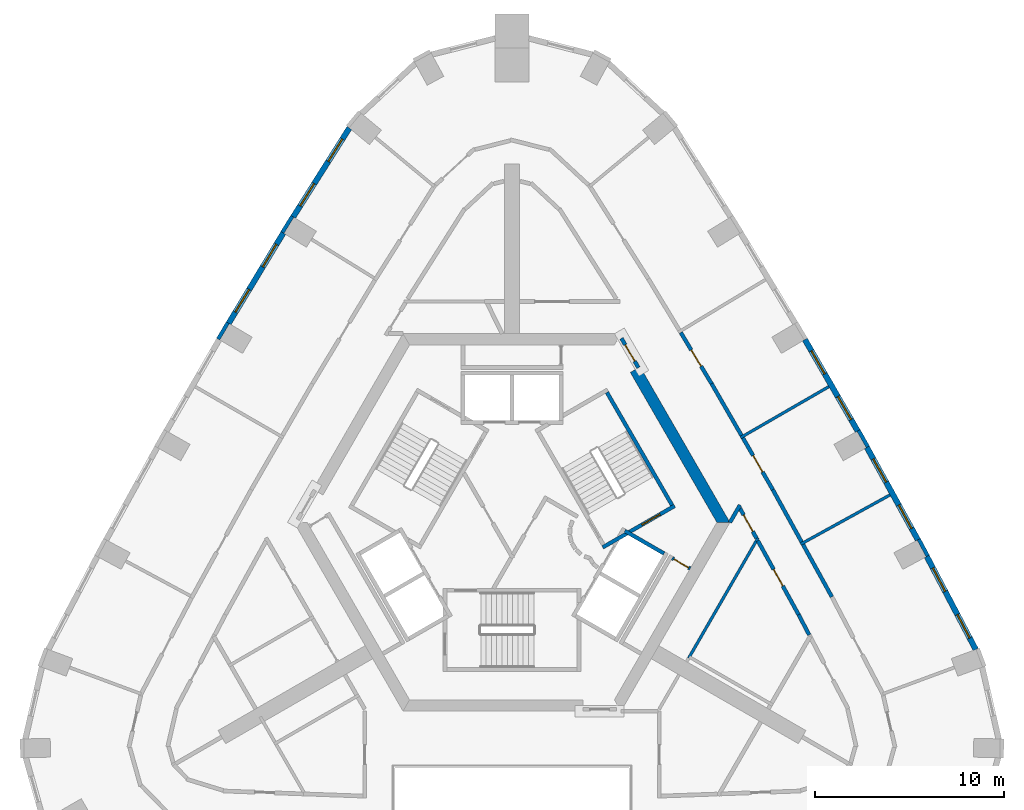
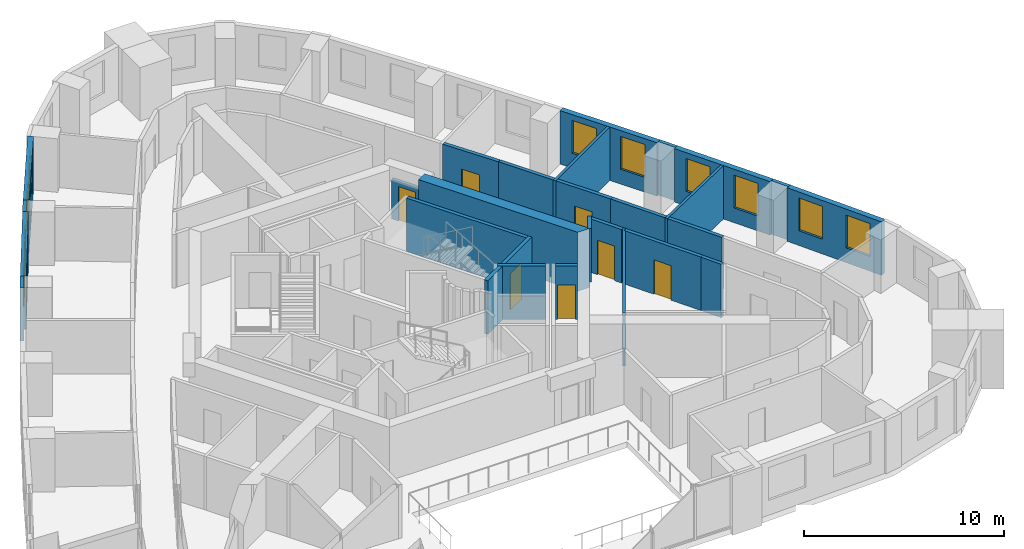
# One storey, part 7 of 10: 27 walls, 10 windows, 7 doors, 17 openings.
"""IFC4 building model written with IfcOpenShell, lengths in metres."""

from ifc_helpers import new_model, si_unit, direction, frame, frame_2d, origin, place, context, subcontext, project, spatial, polyline, rectangle, outline, extrude, material, layer, layer_set, type_object, element, fill, save


model = new_model("IFC4")

# Units and contexts
model_context = context("Model", 3, precision=1e-05, world=origin(), true_north=direction((0.0, 1.0)))
body_context = subcontext(model_context, "Body", "Model", "MODEL_VIEW")
ifc_project = project(units=[si_unit("LENGTHUNIT", "METRE"), si_unit("AREAUNIT", "SQUARE_METRE"), si_unit("VOLUMEUNIT", "CUBIC_METRE"), si_unit("PLANEANGLEUNIT", "RADIAN"), si_unit("MASSUNIT", "GRAM", prefix="KILO")], contexts=[model_context])

# Site, building, storey
site_placement = place(None, origin())
site = spatial("IfcSite", under=ifc_project, at=site_placement, CompositionType="ELEMENT")
building_placement = place(site_placement, origin())
building = spatial("IfcBuilding", under=site, at=building_placement, Name="Entoto Arch Interchange Tower", CompositionType="ELEMENT")
storey_placement = place(building_placement, frame((0.0, 0.0, 245.0)))
storey = spatial("IfcBuildingStorey", under=building, at=storey_placement, Name="L55", CompositionType="ELEMENT", Elevation=245.0)

# Wall, opening, door
ifc_material_1 = material(Name="Reinforced concrete C40/50", Category="concrete")
ifc_layer_1 = layer(ifc_material_1, 0.199951171875)
ifc_layer_set_1 = layer_set([ifc_layer_1], Name="Reinforced concrete C40/50")
wall_type_1 = type_object("IfcWallType", Name="CORE GAP INFILL WALL", PredefinedType="PARTITIONING", material=ifc_layer_set_1)
wall_1_placement = place(storey_placement, frame((6.698974609375, 10.697021484375, 0.0), z_axis=(0.0, 0.0, 1.0), x_axis=(-0.499914839587, 0.866074565589, 0.0)))
wall_1 = element("IfcWall", 1, at=wall_1_placement, inside=storey, type_object=wall_type_1, Name="wall:L55:gap2", PredefinedType="PARTITIONING", context=body_context, shape_type="SweptSolid", body=[
    extrude(rectangle(XDim=1.794189453125, YDim=0.199951171875, at=frame_2d((0.89697265625, 0.0))), origin(), (0.0, 0.0, 1.0), 2.39990234375),
])
opening_1_placement = place(wall_1_placement, frame((0.39697265625, 0.0, 0.0)))
opening_1 = element("IfcOpeningElement", 2, at=opening_1_placement, cuts=wall_1, Name="Opening L55-D92", PredefinedType="OPENING", context=body_context, shape_type="SweptSolid", body=[
    extrude(rectangle(XDim=1.0, YDim=2.10009765625, at=frame_2d((0.5, 1.050048828125))), frame((0.0, 0.10986328125, 0.0), z_axis=(0.0, -1.0, 0.0), x_axis=(1.0, 0.0, 0.0)), (0.0, 0.0, 1.0), 0.219970703125),
])
ifc_material_2 = material(Name="Fire-rated Steel S235 door and frame", Category="steel")
door_type_1 = type_object("IfcDoorType", Name="DOOR FD-10 1000x2100", OperationType="SINGLE_SWING_LEFT", PredefinedType="DOOR", material=ifc_material_2)
door_1_placement = place(opening_1_placement, origin())
door_1 = element("IfcDoor", 3, at=door_1_placement, inside=storey, type_object=door_type_1, Name="door:L55:gap2", OperationType="SINGLE_SWING_LEFT", OverallHeight=2.10009765625, OverallWidth=1.0, PredefinedType="DOOR", context=body_context, shape_type="SweptSolid", body=[
    extrude(rectangle(XDim=1.0, YDim=2.10009765625, at=frame_2d((0.5, 1.050048828125))), frame((0.0, 0.02490234375, 0.0), z_axis=(0.0, -1.0, 0.0), x_axis=(1.0, 0.0, 0.0)), (0.0, 0.0, 1.0), 0.050048828125),
])
fill(opening_1, door_1)

# Walls
ifc_material_3 = material(Name="Concrete C40/50", Category="concrete")
ifc_layer_2 = layer(ifc_material_3, 0.60009765625)
ifc_layer_set_2 = layer_set([ifc_layer_2], Name="Concrete C40/50")
wall_type_2 = type_object("IfcWallType", Name="Core wall 600 C40/50", PredefinedType="SHEAR", material=ifc_layer_set_2)
wall_2_placement = place(storey_placement, frame((0.0, 0.0, -0.340087890625)))
element("IfcWall", 4, at=wall_2_placement, inside=storey, type_object=wall_type_2, Name="Core wall NE L55", PredefinedType="SHEAR", context=body_context, shape_type="SweptSolid", body=[
    extrude(outline(polyline([(6.785888671875, 10.7470703125), (6.26611328125, 10.447021484375), (10.85400390625, 2.5), (11.547119140625, 2.5), (6.785888671875, 10.7470703125)])), origin(), (0.0, 0.0, 1.0), 3.60009765625),
])
ifc_layer_3 = layer(ifc_material_3, 0.199951171875)
ifc_layer_set_3 = layer_set([ifc_layer_3], Name="Concrete C40/50")
wall_type_3 = type_object("IfcWallType", Name="LIFT SHAFT WALL 200", PredefinedType="STANDARD", material=ifc_layer_set_3)
wall_3_placement = place(storey_placement, frame((5.97705078125, 2.052001953125, 0.0), z_axis=(0.0, 0.0, 1.0), x_axis=(0.865973769406, -0.500089422704, 0.0)))
element("IfcWall", 5, at=wall_3_placement, inside=storey, type_object=wall_type_3, Name="Shaft wall SE1 cross 3", PredefinedType="STANDARD", context=body_context, shape_type="SweptSolid", body=[
    extrude(rectangle(XDim=2.3994140625, YDim=0.199951171875, at=frame_2d((1.19970703125, 0.0))), origin(), (0.0, 0.0, 1.0), 3.260009765625),
])
ifc_material_4 = material(Name="Gypsum board partition on steel studs", Category="steel")
ifc_layer_4 = layer(ifc_material_4, 0.14990234375)
ifc_layer_set_4 = layer_set([ifc_layer_4], Name="Gypsum board partition on steel studs")
wall_type_4 = type_object("IfcWallType", Name="PARTITION 150", PredefinedType="PARTITIONING", material=ifc_layer_set_4)
wall_4_placement = place(storey_placement, frame((9.35791015625, -4.69189453125, 0.0), z_axis=(0.0, 0.0, 1.0), x_axis=(0.500027777314, 0.866009365951, 0.0)))
element("IfcWall", 6, at=wall_4_placement, inside=storey, type_object=wall_type_4, Name="wall:L55:p074", PredefinedType="PARTITIONING", context=body_context, shape_type="SweptSolid", body=[
    extrude(rectangle(XDim=7.35986328125, YDim=0.14990234375, at=frame_2d((3.679931640625, 0.0))), origin(), (0.0, 0.0, 1.0), 3.260009765625),
])
wall_5_placement = place(storey_placement, frame((15.294921875, 1.346923828125, 0.0), z_axis=(0.0, 0.0, 1.0), x_axis=(0.875728645362, 0.482803624358, 0.0)))
element("IfcWall", 7, at=wall_5_placement, inside=storey, type_object=wall_type_4, Name="wall:L55:p105", PredefinedType="PARTITIONING", context=body_context, shape_type="SweptSolid", body=[
    extrude(rectangle(XDim=5.400146484375, YDim=0.14990234375, at=frame_2d((2.7001953125, 0.0))), origin(), (0.0, 0.0, 1.0), 3.260009765625),
])
wall_6_placement = place(storey_placement, frame((12.110107421875, 6.991943359375, 0.0), z_axis=(0.0, 0.0, 1.0), x_axis=(0.865994316829, 0.50005384032, 0.0)))
element("IfcWall", 8, at=wall_6_placement, inside=storey, type_object=wall_type_4, Name="wall:L55:p106", PredefinedType="PARTITIONING", context=body_context, shape_type="SweptSolid", body=[
    extrude(rectangle(XDim=5.3994140625, YDim=0.14990234375, at=frame_2d((2.69970703125, 0.0))), origin(), (0.0, 0.0, 1.0), 3.260009765625),
])

# Wall, opening, door
ifc_layer_5 = layer(ifc_material_4, 0.199951171875)
ifc_layer_set_5 = layer_set([ifc_layer_5], Name="Gypsum board partition on steel studs")
wall_type_5 = type_object("IfcWallType", Name="PARTITION 200", PredefinedType="PARTITIONING", material=ifc_layer_set_5)
wall_7_placement = place(storey_placement, frame((12.951904296875, 1.660888671875, 0.0), z_axis=(0.0, 0.0, 1.0), x_axis=(-0.482707835392, 0.875781448566, 0.0)))
wall_7 = element("IfcWall", 9, at=wall_7_placement, inside=storey, type_object=wall_type_5, Name="wall:L55:p004", PredefinedType="PARTITIONING", context=body_context, shape_type="SweptSolid", body=[
    extrude(rectangle(XDim=1.816650390625, YDim=0.199951171875, at=frame_2d((0.908203125, 0.0))), origin(), (0.0, 0.0, 1.0), 3.260009765625),
])
opening_2_placement = place(wall_7_placement, frame((0.407958984375, 0.0, 0.0)))
opening_2 = element("IfcOpeningElement", 10, at=opening_2_placement, cuts=wall_7, Name="Opening L55-D25", PredefinedType="OPENING", context=body_context, shape_type="SweptSolid", body=[
    extrude(rectangle(XDim=1.0, YDim=2.10009765625, at=frame_2d((0.5, 1.050048828125))), frame((0.0, 0.10986328125, 0.0), z_axis=(0.0, -1.0, 0.0), x_axis=(1.0, 0.0, 0.0)), (0.0, 0.0, 1.0), 0.219970703125),
])
ifc_material_5 = material(Name="Timber door leaf in Steel S235 frame", Category="steel")
door_type_2 = type_object("IfcDoorType", Name="DOOR DS-10 1000x2100", OperationType="SINGLE_SWING_LEFT", PredefinedType="DOOR", material=ifc_material_5)
door_2_placement = place(opening_2_placement, origin())
door_2 = element("IfcDoor", 11, at=door_2_placement, inside=storey, type_object=door_type_2, Name="door:L55:25", OperationType="SINGLE_SWING_RIGHT", OverallHeight=2.10009765625, OverallWidth=1.0, PredefinedType="DOOR", context=body_context, shape_type="SweptSolid", body=[
    extrude(rectangle(XDim=1.0, YDim=2.10009765625, at=frame_2d((0.5, 1.050048828125))), frame((0.0, 0.02490234375, 0.0), z_axis=(0.0, -1.0, 0.0), x_axis=(1.0, 0.0, 0.0)), (0.0, 0.0, 1.0), 0.050048828125),
])
fill(opening_2, door_2)

# Walls
wall_8_placement = place(storey_placement, frame((12.0791015625, 3.4189453125, 0.0), z_axis=(0.0, 0.0, 1.0), x_axis=(-0.500674759037, -0.865635480825, 0.0)))
element("IfcWall", 12, at=wall_8_placement, inside=storey, type_object=wall_type_5, Name="wall:L55:p005", PredefinedType="PARTITIONING", context=body_context, shape_type="SweptSolid", body=[
    extrude(rectangle(XDim=1.06494140625, YDim=0.199951171875, at=frame_2d((0.532470703125, 0.0))), origin(), (0.0, 0.0, 1.0), 3.260009765625),
])
wall_9_placement = place(storey_placement, frame((15.74609375, -3.4580078125, 0.0), z_axis=(0.0, 0.0, 1.0), x_axis=(-0.464794189951, 0.885418748948, 0.0)))
element("IfcWall", 13, at=wall_9_placement, inside=storey, type_object=wall_type_5, Name="wall:L55:p014", PredefinedType="PARTITIONING", context=body_context, shape_type="SweptSolid", body=[
    extrude(rectangle(XDim=1.205078125, YDim=0.199951171875, at=frame_2d((0.6025390625, 0.0))), origin(), (0.0, 0.0, 1.0), 3.260009765625),
])

# Wall, opening, door
wall_10_placement = place(storey_placement, frame((15.18603515625, -2.39111328125, 0.0), z_axis=(0.0, 0.0, 1.0), x_axis=(-0.482858240592, 0.875698532311, 0.0)))
wall_10 = element("IfcWall", 14, at=wall_10_placement, inside=storey, type_object=wall_type_5, Name="wall:L55:p015", PredefinedType="PARTITIONING", context=body_context, shape_type="SweptSolid", body=[
    extrude(rectangle(XDim=4.477783203125, YDim=0.199951171875, at=frame_2d((2.23876953125, 0.0))), origin(), (0.0, 0.0, 1.0), 3.260009765625),
])
opening_3_placement = place(wall_10_placement, frame((1.739013671875, 0.0, 0.0)))
opening_3 = element("IfcOpeningElement", 15, at=opening_3_placement, cuts=wall_10, Name="Opening L55-D15", PredefinedType="OPENING", context=body_context, shape_type="SweptSolid", body=[
    extrude(rectangle(XDim=1.0, YDim=2.10009765625, at=frame_2d((0.5, 1.050048828125))), frame((0.0, 0.10986328125, 0.0), z_axis=(0.0, -1.0, 0.0), x_axis=(1.0, 0.0, 0.0)), (0.0, 0.0, 1.0), 0.219970703125),
])
door_3_placement = place(opening_3_placement, origin())
door_3 = element("IfcDoor", 16, at=door_3_placement, inside=storey, type_object=door_type_2, Name="door:L55:15", OperationType="SINGLE_SWING_LEFT", OverallHeight=2.10009765625, OverallWidth=1.0, PredefinedType="DOOR", context=body_context, shape_type="SweptSolid", body=[
    extrude(rectangle(XDim=1.0, YDim=2.10009765625, at=frame_2d((0.5, 1.050048828125))), frame((0.0, 0.02490234375, 0.0), z_axis=(0.0, -1.0, 0.0), x_axis=(1.0, 0.0, 0.0)), (0.0, 0.0, 1.0), 0.050048828125),
])
fill(opening_3, door_3)

# Wall
wall_11_placement = place(storey_placement, frame((15.41796875, 1.330078125, 0.0), z_axis=(0.0, 0.0, 1.0), x_axis=(0.482838875149, -0.875709210095, 0.0)))
element("IfcWall", 17, at=wall_11_placement, inside=storey, type_object=wall_type_5, Name="wall:L55:p039", PredefinedType="PARTITIONING", context=body_context, shape_type="SweptSolid", body=[
    extrude(rectangle(XDim=3.166748046875, YDim=0.199951171875, at=frame_2d((1.58349609375, 0.0))), origin(), (0.0, 0.0, 1.0), 3.260009765625),
])

# Wall, opening, door
wall_12_placement = place(storey_placement, frame((12.23388671875, 6.97705078125, 0.0), z_axis=(0.0, 0.0, 1.0), x_axis=(0.499820325382, -0.866129114125, 0.0)))
wall_12 = element("IfcWall", 18, at=wall_12_placement, inside=storey, type_object=wall_type_5, Name="wall:L55:p041", PredefinedType="PARTITIONING", context=body_context, shape_type="SweptSolid", body=[
    extrude(rectangle(XDim=3.167236328125, YDim=0.199951171875, at=frame_2d((1.58349609375, 0.0))), origin(), (0.0, 0.0, 1.0), 3.260009765625),
])
opening_4_placement = place(wall_12_placement, frame((1.083984375, 0.0, 0.0)))
opening_4 = element("IfcOpeningElement", 19, at=opening_4_placement, cuts=wall_12, Name="Opening L55-D04", PredefinedType="OPENING", context=body_context, shape_type="SweptSolid", body=[
    extrude(rectangle(XDim=1.0, YDim=2.10009765625, at=frame_2d((0.5, 1.050048828125))), frame((0.0, 0.10986328125, 0.0), z_axis=(0.0, -1.0, 0.0), x_axis=(1.0, 0.0, 0.0)), (0.0, 0.0, 1.0), 0.219970703125),
])
door_4_placement = place(opening_4_placement, origin())
door_4 = element("IfcDoor", 20, at=door_4_placement, inside=storey, type_object=door_type_2, Name="door:L55:04", OperationType="SINGLE_SWING_LEFT", OverallHeight=2.10009765625, OverallWidth=1.0, PredefinedType="DOOR", context=body_context, shape_type="SweptSolid", body=[
    extrude(rectangle(XDim=1.0, YDim=2.10009765625, at=frame_2d((0.5, 1.050048828125))), frame((0.0, 0.02490234375, 0.0), z_axis=(0.0, -1.0, 0.0), x_axis=(1.0, 0.0, 0.0)), (0.0, 0.0, 1.0), 0.050048828125),
])
fill(opening_4, door_4)

# Wall
wall_13_placement = place(storey_placement, frame((13.81689453125, 4.23388671875, 0.0), z_axis=(0.0, 0.0, 1.0), x_axis=(0.482871474341, -0.875691235121, 0.0)))
element("IfcWall", 21, at=wall_13_placement, inside=storey, type_object=wall_type_5, Name="wall:L55:p042", PredefinedType="PARTITIONING", context=body_context, shape_type="SweptSolid", body=[
    extrude(rectangle(XDim=3.16650390625, YDim=0.199951171875, at=frame_2d((1.583251953125, 0.0))), origin(), (0.0, 0.0, 1.0), 3.260009765625),
])

# Wall, opening, door
wall_14_placement = place(storey_placement, frame((8.93896484375, 12.55908203125, 0.0), z_axis=(0.0, 0.0, 1.0), x_axis=(0.517045022441, -0.855958202699, 0.0)))
wall_14 = element("IfcWall", 22, at=wall_14_placement, inside=storey, type_object=wall_type_5, Name="wall:L55:p043", PredefinedType="PARTITIONING", context=body_context, shape_type="SweptSolid", body=[
    extrude(rectangle(XDim=3.166015625, YDim=0.199951171875, at=frame_2d((1.5830078125, 0.0))), origin(), (0.0, 0.0, 1.0), 3.260009765625),
])
opening_5_placement = place(wall_14_placement, frame((1.0830078125, 0.0, 0.0)))
opening_5 = element("IfcOpeningElement", 23, at=opening_5_placement, cuts=wall_14, Name="Opening L55-D05", PredefinedType="OPENING", context=body_context, shape_type="SweptSolid", body=[
    extrude(rectangle(XDim=1.0, YDim=2.10009765625, at=frame_2d((0.5, 1.050048828125))), frame((0.0, 0.10986328125, 0.0), z_axis=(0.0, -1.0, 0.0), x_axis=(1.0, 0.0, 0.0)), (0.0, 0.0, 1.0), 0.219970703125),
])
door_5_placement = place(opening_5_placement, origin())
door_5 = element("IfcDoor", 24, at=door_5_placement, inside=storey, type_object=door_type_2, Name="door:L55:05", OperationType="SINGLE_SWING_LEFT", OverallHeight=2.10009765625, OverallWidth=1.0, PredefinedType="DOOR", context=body_context, shape_type="SweptSolid", body=[
    extrude(rectangle(XDim=1.0, YDim=2.10009765625, at=frame_2d((0.5, 1.050048828125))), frame((0.0, 0.02490234375, 0.0), z_axis=(0.0, -1.0, 0.0), x_axis=(1.0, 0.0, 0.0)), (0.0, 0.0, 1.0), 0.050048828125),
])
fill(opening_5, door_5)

# Wall
wall_15_placement = place(storey_placement, frame((10.575927734375, 9.84912109375, 0.0), z_axis=(0.0, 0.0, 1.0), x_axis=(0.499953838557, -0.866052053466, 0.0)))
element("IfcWall", 25, at=wall_15_placement, inside=storey, type_object=wall_type_5, Name="wall:L55:p044", PredefinedType="PARTITIONING", context=body_context, shape_type="SweptSolid", body=[
    extrude(rectangle(XDim=3.166259765625, YDim=0.199951171875, at=frame_2d((1.5830078125, 0.0))), origin(), (0.0, 0.0, 1.0), 3.260009765625),
])

# Wall, opening, door
wall_16_placement = place(storey_placement, frame((8.488037109375, 0.60205078125, 0.0), z_axis=(0.0, 0.0, 1.0), x_axis=(0.866063652425, -0.499933745558, 0.0)))
wall_16 = element("IfcWall", 26, at=wall_16_placement, inside=storey, type_object=wall_type_5, Name="wall:L55:p066", PredefinedType="PARTITIONING", context=body_context, shape_type="SweptSolid", body=[
    extrude(rectangle(XDim=1.100341796875, YDim=0.199951171875, at=frame_2d((0.55029296875, 0.0))), origin(), (0.0, 0.0, 1.0), 3.260009765625),
])
opening_6_placement = place(wall_16_placement, frame((0.10009765625, 0.0, 0.0)))
opening_6 = element("IfcOpeningElement", 27, at=opening_6_placement, cuts=wall_16, Name="Opening L55-D29", PredefinedType="OPENING", context=body_context, shape_type="SweptSolid", body=[
    extrude(rectangle(XDim=0.89990234375, YDim=2.10009765625, at=frame_2d((0.449951171875, 1.050048828125))), frame((0.0, 0.10986328125, 0.0), z_axis=(0.0, -1.0, 0.0), x_axis=(1.0, 0.0, 0.0)), (0.0, 0.0, 1.0), 0.219970703125),
])
door_type_3 = type_object("IfcDoorType", Name="DOOR DS-09 900x2100", OperationType="SINGLE_SWING_LEFT", PredefinedType="DOOR", material=ifc_material_5)
door_6_placement = place(opening_6_placement, origin())
door_6 = element("IfcDoor", 28, at=door_6_placement, inside=storey, type_object=door_type_3, Name="door:L55:29", OperationType="SINGLE_SWING_RIGHT", OverallHeight=2.10009765625, OverallWidth=0.89990234375, PredefinedType="DOOR", context=body_context, shape_type="SweptSolid", body=[
    extrude(rectangle(XDim=0.89990234375, YDim=2.10009765625, at=frame_2d((0.449951171875, 1.050048828125))), frame((0.0, 0.02490234375, 0.0), z_axis=(0.0, -1.0, 0.0), x_axis=(1.0, 0.0, 0.0)), (0.0, 0.0, 1.0), 0.050048828125),
])
fill(opening_6, door_6)

ifc_layer_6 = layer(ifc_material_3, 0.199951171875)
ifc_layer_set_6 = layer_set([ifc_layer_6], Name="Concrete C40/50")
wall_type_6 = type_object("IfcWallType", Name="STAIR ENCLOSURE WALL 200", PredefinedType="STANDARD", material=ifc_layer_set_6)
wall_17_placement = place(storey_placement, frame((4.805908203125, 1.176025390625, 0.0), z_axis=(0.0, 0.0, 1.0), x_axis=(0.866059941101, 0.499940174841, 0.0)))
wall_17 = element("IfcWall", 29, at=wall_17_placement, inside=storey, type_object=wall_type_6, Name="Stair wall ST-NE near", PredefinedType="STANDARD", context=body_context, shape_type="SweptSolid", body=[
    extrude(rectangle(XDim=4.400390625, YDim=0.199951171875, at=frame_2d((2.2001953125, 0.0))), origin(), (0.0, 0.0, 1.0), 3.260009765625),
])
opening_7_placement = place(wall_17_placement, frame((2.39990234375, 0.0, 0.0)))
opening_7 = element("IfcOpeningElement", 30, at=opening_7_placement, cuts=wall_17, Name="Opening SD-ST-NE-L55-E", PredefinedType="OPENING", context=body_context, shape_type="SweptSolid", body=[
    extrude(rectangle(XDim=1.10009765625, YDim=2.199951171875, at=frame_2d((0.550048828125, 1.10009765625))), frame((0.0, 0.10986328125, 0.0), z_axis=(0.0, -1.0, 0.0), x_axis=(1.0, 0.0, 0.0)), (0.0, 0.0, 1.0), 0.219970703125),
])
ifc_material_6 = material(Name="Steel S235", Category="steel")
door_type_4 = type_object("IfcDoorType", Name="STAIR DOOR SD1 1100x2200", OperationType="SINGLE_SWING_LEFT", PredefinedType="DOOR", material=ifc_material_6)
door_7_placement = place(opening_7_placement, origin())
door_7 = element("IfcDoor", 31, at=door_7_placement, inside=storey, type_object=door_type_4, Name="Stair door ST-NE L55 end", OperationType="SINGLE_SWING_LEFT", OverallHeight=2.199951171875, OverallWidth=1.10009765625, PredefinedType="DOOR", context=body_context, shape_type="SweptSolid", body=[
    extrude(rectangle(XDim=1.10009765625, YDim=2.199951171875, at=frame_2d((0.550048828125, 1.10009765625))), frame((0.0, 0.02490234375, 0.0), z_axis=(0.0, -1.0, 0.0), x_axis=(1.0, 0.0, 0.0)), (0.0, 0.0, 1.0), 0.050048828125),
])
fill(opening_7, door_7)

# Wall
wall_18_placement = place(storey_placement, frame((8.47998046875, 3.412109375, 0.0), z_axis=(0.0, 0.0, 1.0), x_axis=(-0.499978703459, 0.866037698999, 0.0)))
element("IfcWall", 32, at=wall_18_placement, inside=storey, type_object=wall_type_6, Name="Stair wall ST-NE back", PredefinedType="STANDARD", context=body_context, shape_type="SweptSolid", body=[
    extrude(rectangle(XDim=6.900146484375, YDim=0.199951171875, at=frame_2d((3.4501953125, 0.0))), origin(), (0.0, 0.0, 1.0), 3.260009765625),
])

# Wall, openings, windows
ifc_material_7 = material(Name="Welded tuff (ignimbrite) cladding, warm buff", Category="masonry")
ifc_layer_7 = layer(ifc_material_7, 0.300048828125)
ifc_layer_set_7 = layer_set([ifc_layer_7], Name="Welded tuff (ignimbrite) cladding, warm buff")
wall_type_7 = type_object("IfcWallType", Name="STONE INFILL WALL 300", PredefinedType="STANDARD", material=ifc_layer_set_7)
wall_19_placement = place(storey_placement, frame((24.570068359375, -4.23388671875, 0.0), z_axis=(0.0, 0.0, 1.0), x_axis=(-0.465228032148, 0.885190871001, 0.0)))
wall_19 = element("IfcWall", 33, at=wall_19_placement, inside=storey, type_object=wall_type_7, Name="Facade wall NE-01 L55", PredefinedType="STANDARD", context=body_context, shape_type="SweptSolid", body=[
    extrude(rectangle(XDim=5.571533203125, YDim=0.300048828125, at=frame_2d((2.78564453125, 0.0))), origin(), (0.0, 0.0, 1.0), 3.260009765625),
])
opening_8_placement = place(wall_19_placement, frame((0.693115234375, 0.0, 0.89990234375)))
opening_8 = element("IfcOpeningElement", 34, at=opening_8_placement, cuts=wall_19, Name="Opening WH-B", PredefinedType="OPENING", context=body_context, shape_type="SweptSolid", body=[
    extrude(rectangle(XDim=1.39990234375, YDim=2.0, at=frame_2d((0.699951171875, 1.0))), frame((0.0, 0.16015625, 0.0), z_axis=(0.0, -1.0, 0.0), x_axis=(1.0, 0.0, 0.0)), (0.0, 0.0, 1.0), 0.320068359375),
])
opening_9_placement = place(wall_19_placement, frame((3.47900390625, 0.0, 0.89990234375)))
opening_9 = element("IfcOpeningElement", 35, at=opening_9_placement, cuts=wall_19, Name="Opening WH-B", PredefinedType="OPENING", context=body_context, shape_type="SweptSolid", body=[
    extrude(rectangle(XDim=1.39990234375, YDim=2.0, at=frame_2d((0.699951171875, 1.0))), frame((0.0, 0.16015625, 0.0), z_axis=(0.0, -1.0, 0.0), x_axis=(1.0, 0.0, 0.0)), (0.0, 0.0, 1.0), 0.320068359375),
])
ifc_material_8 = material(Name="Clear glass, low-e double glazed", Category="glass")
window_type = type_object("IfcWindowType", Name="WINDOW WH-B 1400x2000", PartitioningType="DOUBLE_PANEL_VERTICAL", PredefinedType="WINDOW", material=ifc_material_8)
window_1_placement = place(opening_8_placement, origin())
window_1 = element("IfcWindow", 36, at=window_1_placement, inside=storey, type_object=window_type, Name="Window WH-B NE-01 L55", OverallHeight=2.0, OverallWidth=1.39990234375, PartitioningType="SINGLE_PANEL", PredefinedType="WINDOW", context=body_context, shape_type="SweptSolid", body=[
    extrude(rectangle(XDim=1.39990234375, YDim=2.0, at=frame_2d((0.699951171875, 1.0))), frame((0.0, 0.030029296875, 0.0), z_axis=(0.0, -1.0, 0.0), x_axis=(1.0, 0.0, 0.0)), (0.0, 0.0, 1.0), 0.06005859375),
])
fill(opening_8, window_1)
window_2_placement = place(opening_9_placement, origin())
window_2 = element("IfcWindow", 37, at=window_2_placement, inside=storey, type_object=window_type, Name="Window WH-B NE-01 L55", OverallHeight=2.0, OverallWidth=1.39990234375, PartitioningType="SINGLE_PANEL", PredefinedType="WINDOW", context=body_context, shape_type="SweptSolid", body=[
    extrude(rectangle(XDim=1.39990234375, YDim=2.0, at=frame_2d((0.699951171875, 1.0))), frame((0.0, 0.030029296875, 0.0), z_axis=(0.0, -1.0, 0.0), x_axis=(1.0, 0.0, 0.0)), (0.0, 0.0, 1.0), 0.06005859375),
])
fill(opening_9, window_2)

wall_20_placement = place(storey_placement, frame((21.5048828125, 1.576904296875, 0.0), z_axis=(0.0, 0.0, 1.0), x_axis=(-0.482734585173, 0.875766704253, 0.0)))
wall_20 = element("IfcWall", 38, at=wall_20_placement, inside=storey, type_object=wall_type_7, Name="Facade wall NE-02 L55", PredefinedType="STANDARD", context=body_context, shape_type="SweptSolid", body=[
    extrude(rectangle(XDim=5.593017578125, YDim=0.300048828125, at=frame_2d((2.79638671875, 0.0))), origin(), (0.0, 0.0, 1.0), 3.260009765625),
])
opening_10_placement = place(wall_20_placement, frame((0.697998046875, 0.0, 0.89990234375)))
opening_10 = element("IfcOpeningElement", 39, at=opening_10_placement, cuts=wall_20, Name="Opening WH-B", PredefinedType="OPENING", context=body_context, shape_type="SweptSolid", body=[
    extrude(rectangle(XDim=1.39990234375, YDim=2.0, at=frame_2d((0.699951171875, 1.0))), frame((0.0, 0.16015625, 0.0), z_axis=(0.0, -1.0, 0.0), x_axis=(1.0, 0.0, 0.0)), (0.0, 0.0, 1.0), 0.320068359375),
])
opening_11_placement = place(wall_20_placement, frame((3.4951171875, 0.0, 0.89990234375)))
opening_11 = element("IfcOpeningElement", 40, at=opening_11_placement, cuts=wall_20, Name="Opening WH-B", PredefinedType="OPENING", context=body_context, shape_type="SweptSolid", body=[
    extrude(rectangle(XDim=1.39990234375, YDim=2.0, at=frame_2d((0.699951171875, 1.0))), frame((0.0, 0.16015625, 0.0), z_axis=(0.0, -1.0, 0.0), x_axis=(1.0, 0.0, 0.0)), (0.0, 0.0, 1.0), 0.320068359375),
])
window_3_placement = place(opening_10_placement, origin())
window_3 = element("IfcWindow", 41, at=window_3_placement, inside=storey, type_object=window_type, Name="Window WH-B NE-02 L55", OverallHeight=2.0, OverallWidth=1.39990234375, PartitioningType="SINGLE_PANEL", PredefinedType="WINDOW", context=body_context, shape_type="SweptSolid", body=[
    extrude(rectangle(XDim=1.39990234375, YDim=2.0, at=frame_2d((0.699951171875, 1.0))), frame((0.0, 0.030029296875, 0.0), z_axis=(0.0, -1.0, 0.0), x_axis=(1.0, 0.0, 0.0)), (0.0, 0.0, 1.0), 0.06005859375),
])
fill(opening_10, window_3)
window_4_placement = place(opening_11_placement, origin())
window_4 = element("IfcWindow", 42, at=window_4_placement, inside=storey, type_object=window_type, Name="Window WH-B NE-02 L55", OverallHeight=2.0, OverallWidth=1.39990234375, PartitioningType="SINGLE_PANEL", PredefinedType="WINDOW", context=body_context, shape_type="SweptSolid", body=[
    extrude(rectangle(XDim=1.39990234375, YDim=2.0, at=frame_2d((0.699951171875, 1.0))), frame((0.0, 0.030029296875, 0.0), z_axis=(0.0, -1.0, 0.0), x_axis=(1.0, 0.0, 0.0)), (0.0, 0.0, 1.0), 0.06005859375),
])
fill(opening_11, window_4)

wall_21_placement = place(storey_placement, frame((18.31494140625, 7.343994140625, 0.0), z_axis=(0.0, 0.0, 1.0), x_axis=(-0.49995037644, 0.866054052065, 0.0)))
wall_21 = element("IfcWall", 43, at=wall_21_placement, inside=storey, type_object=wall_type_7, Name="Facade wall NE-03 L55", PredefinedType="STANDARD", context=body_context, shape_type="SweptSolid", body=[
    extrude(rectangle(XDim=5.59423828125, YDim=0.300048828125, at=frame_2d((2.797119140625, 0.0))), origin(), (0.0, 0.0, 1.0), 3.260009765625),
])
opening_12_placement = place(wall_21_placement, frame((0.698974609375, 0.0, 0.89990234375)))
opening_12 = element("IfcOpeningElement", 44, at=opening_12_placement, cuts=wall_21, Name="Opening WH-B", PredefinedType="OPENING", context=body_context, shape_type="SweptSolid", body=[
    extrude(rectangle(XDim=1.39990234375, YDim=2.0, at=frame_2d((0.699951171875, 1.0))), frame((0.0, 0.16015625, 0.0), z_axis=(0.0, -1.0, 0.0), x_axis=(1.0, 0.0, 0.0)), (0.0, 0.0, 1.0), 0.320068359375),
])
opening_13_placement = place(wall_21_placement, frame((3.49609375, 0.0, 0.89990234375)))
opening_13 = element("IfcOpeningElement", 45, at=opening_13_placement, cuts=wall_21, Name="Opening WH-B", PredefinedType="OPENING", context=body_context, shape_type="SweptSolid", body=[
    extrude(rectangle(XDim=1.39990234375, YDim=2.0, at=frame_2d((0.699951171875, 1.0))), frame((0.0, 0.16015625, 0.0), z_axis=(0.0, -1.0, 0.0), x_axis=(1.0, 0.0, 0.0)), (0.0, 0.0, 1.0), 0.320068359375),
])
window_5_placement = place(opening_12_placement, origin())
window_5 = element("IfcWindow", 46, at=window_5_placement, inside=storey, type_object=window_type, Name="Window WH-B NE-03 L55", OverallHeight=2.0, OverallWidth=1.39990234375, PartitioningType="SINGLE_PANEL", PredefinedType="WINDOW", context=body_context, shape_type="SweptSolid", body=[
    extrude(rectangle(XDim=1.39990234375, YDim=2.0, at=frame_2d((0.699951171875, 1.0))), frame((0.0, 0.030029296875, 0.0), z_axis=(0.0, -1.0, 0.0), x_axis=(1.0, 0.0, 0.0)), (0.0, 0.0, 1.0), 0.06005859375),
])
fill(opening_12, window_5)
window_6_placement = place(opening_13_placement, origin())
window_6 = element("IfcWindow", 47, at=window_6_placement, inside=storey, type_object=window_type, Name="Window WH-B NE-03 L55", OverallHeight=2.0, OverallWidth=1.39990234375, PartitioningType="SINGLE_PANEL", PredefinedType="WINDOW", context=body_context, shape_type="SweptSolid", body=[
    extrude(rectangle(XDim=1.39990234375, YDim=2.0, at=frame_2d((0.699951171875, 1.0))), frame((0.0, 0.030029296875, 0.0), z_axis=(0.0, -1.0, 0.0), x_axis=(1.0, 0.0, 0.0)), (0.0, 0.0, 1.0), 0.06005859375),
])
fill(opening_13, window_6)

wall_22_placement = place(storey_placement, frame((-8.617919921875, 23.39599609375, 0.0), z_axis=(0.0, 0.0, 1.0), x_axis=(-0.534088597203, -0.845428512849, 0.0)))
wall_22 = element("IfcWall", 48, at=wall_22_placement, inside=storey, type_object=wall_type_7, Name="Facade wall NW-01 L55", PredefinedType="STANDARD", context=body_context, shape_type="SweptSolid", body=[
    extrude(rectangle(XDim=5.572265625, YDim=0.300048828125, at=frame_2d((2.7861328125, 0.0))), origin(), (0.0, 0.0, 1.0), 3.260009765625),
])
opening_14_placement = place(wall_22_placement, frame((0.693115234375, 0.0, 0.89990234375)))
opening_14 = element("IfcOpeningElement", 49, at=opening_14_placement, cuts=wall_22, Name="Opening WH-B", PredefinedType="OPENING", context=body_context, shape_type="SweptSolid", body=[
    extrude(rectangle(XDim=1.39990234375, YDim=2.0, at=frame_2d((0.699951171875, 1.0))), frame((0.0, 0.16015625, 0.0), z_axis=(0.0, -1.0, 0.0), x_axis=(1.0, 0.0, 0.0)), (0.0, 0.0, 1.0), 0.320068359375),
])
opening_15_placement = place(wall_22_placement, frame((3.47900390625, 0.0, 0.89990234375)))
opening_15 = element("IfcOpeningElement", 50, at=opening_15_placement, cuts=wall_22, Name="Opening WH-B", PredefinedType="OPENING", context=body_context, shape_type="SweptSolid", body=[
    extrude(rectangle(XDim=1.39990234375, YDim=2.0, at=frame_2d((0.699951171875, 1.0))), frame((0.0, 0.16015625, 0.0), z_axis=(0.0, -1.0, 0.0), x_axis=(1.0, 0.0, 0.0)), (0.0, 0.0, 1.0), 0.320068359375),
])
window_7_placement = place(opening_14_placement, origin())
window_7 = element("IfcWindow", 51, at=window_7_placement, inside=storey, type_object=window_type, Name="Window WH-B NW-01 L55", OverallHeight=2.0, OverallWidth=1.39990234375, PartitioningType="SINGLE_PANEL", PredefinedType="WINDOW", context=body_context, shape_type="SweptSolid", body=[
    extrude(rectangle(XDim=1.39990234375, YDim=2.0, at=frame_2d((0.699951171875, 1.0))), frame((0.0, 0.030029296875, 0.0), z_axis=(0.0, -1.0, 0.0), x_axis=(1.0, 0.0, 0.0)), (0.0, 0.0, 1.0), 0.06005859375),
])
fill(opening_14, window_7)
window_8_placement = place(opening_15_placement, origin())
window_8 = element("IfcWindow", 52, at=window_8_placement, inside=storey, type_object=window_type, Name="Window WH-B NW-01 L55", OverallHeight=2.0, OverallWidth=1.39990234375, PartitioningType="SINGLE_PANEL", PredefinedType="WINDOW", context=body_context, shape_type="SweptSolid", body=[
    extrude(rectangle(XDim=1.39990234375, YDim=2.0, at=frame_2d((0.699951171875, 1.0))), frame((0.0, 0.030029296875, 0.0), z_axis=(0.0, -1.0, 0.0), x_axis=(1.0, 0.0, 0.0)), (0.0, 0.0, 1.0), 0.06005859375),
])
fill(opening_15, window_8)

wall_23_placement = place(storey_placement, frame((-12.117919921875, 17.8359375, 0.0), z_axis=(0.0, 0.0, 1.0), x_axis=(-0.517169592475, -0.855882943293, 0.0)))
wall_23 = element("IfcWall", 53, at=wall_23_placement, inside=storey, type_object=wall_type_7, Name="Facade wall NW-02 L55", PredefinedType="STANDARD", context=body_context, shape_type="SweptSolid", body=[
    extrude(rectangle(XDim=5.593994140625, YDim=0.300048828125, at=frame_2d((2.796875, 0.0))), origin(), (0.0, 0.0, 1.0), 3.260009765625),
])
opening_16_placement = place(wall_23_placement, frame((0.698974609375, 0.0, 0.89990234375)))
opening_16 = element("IfcOpeningElement", 54, at=opening_16_placement, cuts=wall_23, Name="Opening WH-B", PredefinedType="OPENING", context=body_context, shape_type="SweptSolid", body=[
    extrude(rectangle(XDim=1.39990234375, YDim=2.0, at=frame_2d((0.699951171875, 1.0))), frame((0.0, 0.16015625, 0.0), z_axis=(0.0, -1.0, 0.0), x_axis=(1.0, 0.0, 0.0)), (0.0, 0.0, 1.0), 0.320068359375),
])
opening_17_placement = place(wall_23_placement, frame((3.49609375, 0.0, 0.89990234375)))
opening_17 = element("IfcOpeningElement", 55, at=opening_17_placement, cuts=wall_23, Name="Opening WH-B", PredefinedType="OPENING", context=body_context, shape_type="SweptSolid", body=[
    extrude(rectangle(XDim=1.39990234375, YDim=2.0, at=frame_2d((0.699951171875, 1.0))), frame((0.0, 0.16015625, 0.0), z_axis=(0.0, -1.0, 0.0), x_axis=(1.0, 0.0, 0.0)), (0.0, 0.0, 1.0), 0.320068359375),
])
window_9_placement = place(opening_16_placement, origin())
window_9 = element("IfcWindow", 56, at=window_9_placement, inside=storey, type_object=window_type, Name="Window WH-B NW-02 L55", OverallHeight=2.0, OverallWidth=1.39990234375, PartitioningType="SINGLE_PANEL", PredefinedType="WINDOW", context=body_context, shape_type="SweptSolid", body=[
    extrude(rectangle(XDim=1.39990234375, YDim=2.0, at=frame_2d((0.699951171875, 1.0))), frame((0.0, 0.030029296875, 0.0), z_axis=(0.0, -1.0, 0.0), x_axis=(1.0, 0.0, 0.0)), (0.0, 0.0, 1.0), 0.06005859375),
])
fill(opening_16, window_9)
window_10_placement = place(opening_17_placement, origin())
window_10 = element("IfcWindow", 57, at=window_10_placement, inside=storey, type_object=window_type, Name="Window WH-B NW-02 L55", OverallHeight=2.0, OverallWidth=1.39990234375, PartitioningType="SINGLE_PANEL", PredefinedType="WINDOW", context=body_context, shape_type="SweptSolid", body=[
    extrude(rectangle(XDim=1.39990234375, YDim=2.0, at=frame_2d((0.699951171875, 1.0))), frame((0.0, 0.030029296875, 0.0), z_axis=(0.0, -1.0, 0.0), x_axis=(1.0, 0.0, 0.0)), (0.0, 0.0, 1.0), 0.06005859375),
])
fill(opening_17, window_10)

# Walls
ifc_layer_8 = layer(ifc_material_7, 0.199951171875)
ifc_layer_set_8 = layer_set([ifc_layer_8], Name="Welded tuff (ignimbrite) cladding, warm buff")
wall_type_8 = type_object("IfcWallType", Name="STONE PIER CLADDING 200", PredefinedType="STANDARD", material=ifc_layer_set_8)
for number, where, z_axis, x_axis, name in (
    (58, (22.027099609375, 0.722900390625, 0.0), (0.0, 0.0, 1.0), (-0.473852444207, 0.880604259085, 0.0), "Stone pier NE02 L55"),
    (59, (18.85400390625, 6.5009765625, 0.0), (0.0, 0.0, 1.0), (-0.491743606947, 0.87074004446, 0.0), "Stone pier NE03 L55"),
    (60, (-11.639892578125, 18.715087890625, 0.0), (0.0, 0.0, 1.0), (-0.525825307325, -0.850592585306, 0.0), "Stone pier NW02 L55"),
):
    element("IfcWall", number, at=place(storey_placement, frame(where, z_axis=z_axis, x_axis=x_axis)), inside=storey, type_object=wall_type_8, Name=name, PredefinedType="STANDARD", context=body_context, shape_type="SweptSolid", body=[
        extrude(rectangle(XDim=1.00048828125, YDim=0.199951171875, at=frame_2d((0.500244140625, 0.0))), origin(), (0.0, 0.0, 1.0), 3.260009765625),
    ])
wall_24_placement = place(storey_placement, frame((-15.05810546875, 13.076904296875, 0.0), z_axis=(0.0, 0.0, 1.0), x_axis=(-0.508087253435, -0.86130560366, 0.0)))
element("IfcWall", 61, at=wall_24_placement, inside=storey, type_object=wall_type_8, Name="Stone pier NW03 L55", PredefinedType="STANDARD", context=body_context, shape_type="SweptSolid", body=[
    extrude(rectangle(XDim=0.99951171875, YDim=0.199951171875, at=frame_2d((0.499755859375, 0.0))), origin(), (0.0, 0.0, 1.0), 3.260009765625),
])

save(model, "model.ifc")
